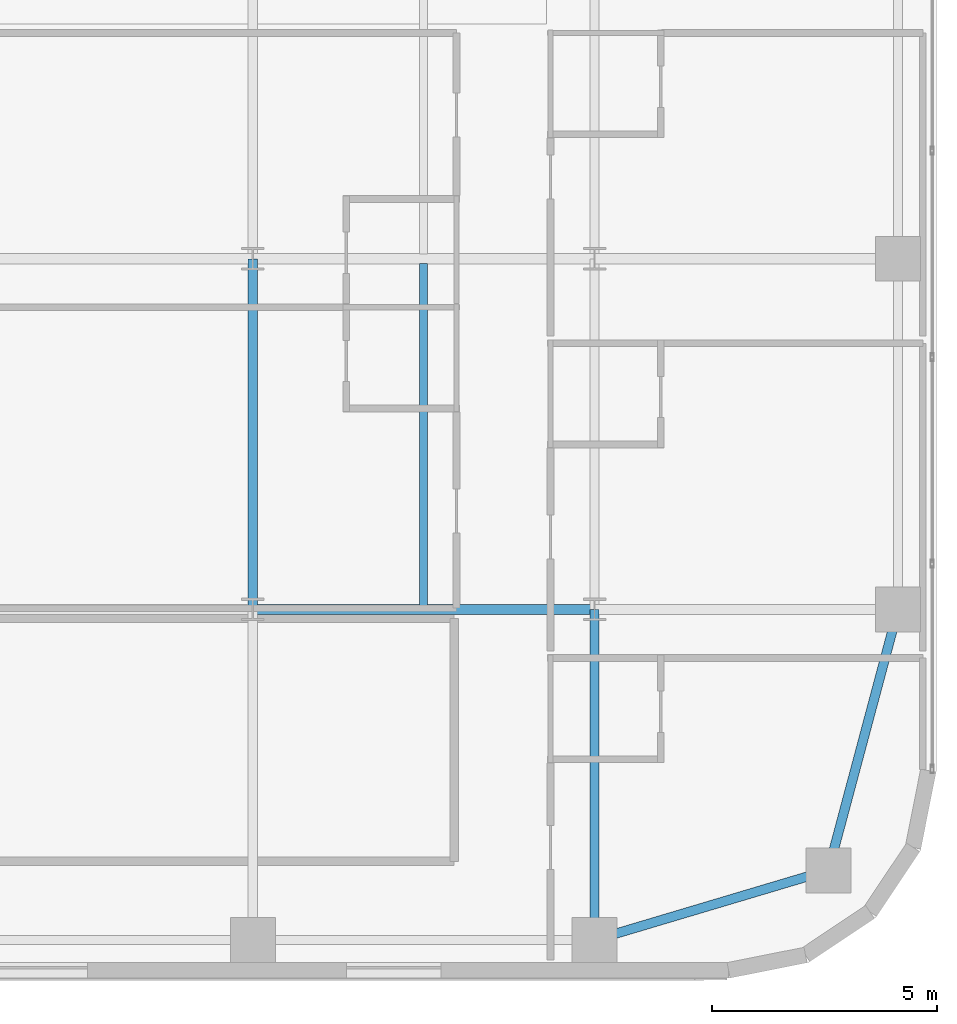
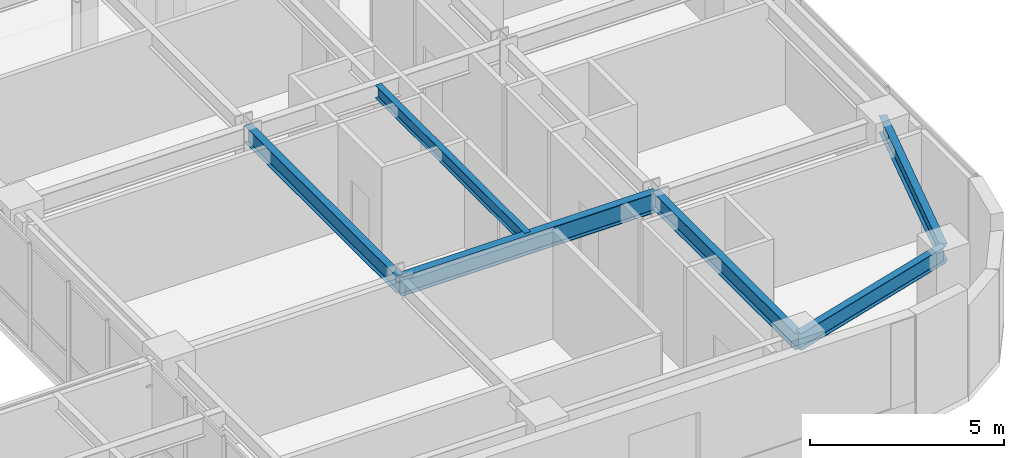
# One storey, part 11 of 31: 6 beams.
"""IFC4 building model written with IfcOpenShell, lengths in metres."""

from ifc_helpers import new_model, si_unit, direction, frame, origin, origin_2d, place, context, subcontext, project, spatial, i_section, extrude, source, transform, mapped, material, material_profile, profile_set, type_object, type_shapes, element, save


model = new_model("IFC4")

# Units and contexts
model_context = context("Model", 3, precision=1e-05, world=origin(), true_north=direction((0.0, 1.0)))
body_context = subcontext(model_context, "Body", "Model", "MODEL_VIEW")
ifc_project = project(units=[si_unit("LENGTHUNIT", "METRE"), si_unit("AREAUNIT", "SQUARE_METRE"), si_unit("VOLUMEUNIT", "CUBIC_METRE"), si_unit("PLANEANGLEUNIT", "RADIAN"), si_unit("MASSUNIT", "GRAM", prefix="KILO")], contexts=[model_context])

# Site, building, storey
site_placement = place(None, origin())
site = spatial("IfcSite", under=ifc_project, at=site_placement, CompositionType="ELEMENT")
building_placement = place(site_placement, origin())
building = spatial("IfcBuilding", under=site, at=building_placement, Name="Tolvann Quenvar Hotel", CompositionType="ELEMENT")
storey_placement = place(building_placement, frame((0.0, 0.0, 74.60009765625)))
storey = spatial("IfcBuildingStorey", under=building, at=storey_placement, Name="L18", CompositionType="ELEMENT", Elevation=74.60009765625)

# Beams
ifc_material = material(Name="Steel Grade 350", Category="steel")
ifc_material_profile_1 = material_profile(ifc_material, i_section(OverallWidth=0.208984375, OverallDepth=0.528076171875, WebThickness=0.009521484375, FlangeThickness=0.01318359375, FilletRadius=0.013916015625, at=origin_2d()), Name="530UB82")
ifc_profile_set_1 = profile_set([ifc_material_profile_1], Name="Steel Grade 350")
beam_type_1 = type_object("IfcBeamType", Name="BM_SPAND_530UB82", PredefinedType="SPANDREL", material=ifc_profile_set_1)
shared_shape_1 = source(origin(), body_context, "Body", "SweptSolid", [
    extrude(i_section(OverallWidth=0.208984375, OverallDepth=0.528076171875, WebThickness=0.009521484375, FlangeThickness=0.01318359375, FilletRadius=0.013916015625, at=origin_2d()), origin(), (0.0, 0.0, 1.0), 5.42626953125),
])
beam_1_placement = place(storey_placement, frame((49.39990234375, 0.85009765625, 3.10595703125), z_axis=(0.958344815522, 0.285613750654, 0.0), x_axis=(-0.285613750654, 0.958344815522, 0.0)))
element("IfcBeam", 1, at=beam_1_placement, inside=storey, type_object=beam_type_1, Name="BM-L18-EW-2-I2-J2", PredefinedType="SPANDREL", context=body_context, shape_type="MappedRepresentation", body=[
    mapped(shared_shape_1, transform((0.0, 0.0, 0.0), x_axis=(1.0, 0.0, 0.0), y_axis=(0.0, 1.0, 0.0), z_axis=(0.0, 0.0, 1.0), scale=1.0)),
])
ifc_material_profile_2 = material_profile(ifc_material, i_section(OverallWidth=0.22900390625, OverallDepth=0.612060546875, WebThickness=0.011962890625, FlangeThickness=0.01953125, FilletRadius=0.013916015625, at=origin_2d()), Name="610UB125")
ifc_profile_set_2 = profile_set([ifc_material_profile_2], Name="Steel Grade 350")
beam_type_2 = type_object("IfcBeamType", Name="BM_GIRD_610UB125", PredefinedType="BEAM", material=ifc_profile_set_2)
shared_shape_2 = source(origin(), body_context, "Body", "SweptSolid", [
    extrude(i_section(OverallWidth=0.22900390625, OverallDepth=0.612060546875, WebThickness=0.011962890625, FlangeThickness=0.01953125, FilletRadius=0.013916015625, at=origin_2d()), origin(), (0.0, 0.0, 1.0), 7.599853515625),
])
type_shapes(beam_type_2, [shared_shape_2])
beam_2_placement = place(storey_placement, frame((41.800048828125, 8.199951171875, 3.06396484375), z_axis=(1.0, 0.0, 0.0), x_axis=(0.0, 1.0, 0.0)))
element("IfcBeam", 2, at=beam_2_placement, inside=storey, type_object=beam_type_2, Name="BM-L18-EW-3-H3-I3", PredefinedType="BEAM", context=body_context, shape_type="MappedRepresentation", body=[
    mapped(shared_shape_2, transform((0.0, 0.0, 0.0), x_axis=(1.0, 0.0, 0.0), y_axis=(0.0, 1.0, 0.0), z_axis=(0.0, 0.0, 1.0), scale=1.0)),
])
shared_shape_3 = source(origin(), body_context, "Body", "SweptSolid", [
    extrude(i_section(OverallWidth=0.208984375, OverallDepth=0.528076171875, WebThickness=0.009521484375, FlangeThickness=0.01318359375, FilletRadius=0.013916015625, at=origin_2d()), origin(), (0.0, 0.0, 1.0), 6.00341796875),
])
type_shapes(beam_type_1, [shared_shape_1, shared_shape_3])
beam_3_placement = place(storey_placement, frame((54.60009765625, 2.39990234375, 3.10595703125), z_axis=(0.258148586649, 0.966105225745, 0.0), x_axis=(-0.966105225745, 0.258148586649, 0.0)))
element("IfcBeam", 3, at=beam_3_placement, inside=storey, type_object=beam_type_1, Name="BM-L18-NS-J2-J3", PredefinedType="SPANDREL", context=body_context, shape_type="MappedRepresentation", body=[
    mapped(shared_shape_3, transform((0.0, 0.0, 0.0), x_axis=(1.0, 0.0, 0.0), y_axis=(0.0, 1.0, 0.0), z_axis=(0.0, 0.0, 1.0), scale=1.0)),
])
ifc_material_profile_3 = material_profile(ifc_material, i_section(OverallWidth=0.208984375, OverallDepth=0.532958984375, WebThickness=0.01025390625, FlangeThickness=0.015625, FilletRadius=0.013916015625, at=origin_2d()), Name="530UB92")
ifc_profile_set_3 = profile_set([ifc_material_profile_3], Name="Steel Grade 350")
beam_type_3 = type_object("IfcBeamType", Name="BM_GIRD_530UB92", PredefinedType="BEAM", material=ifc_profile_set_3)
shared_shape_4 = source(origin(), body_context, "Body", "SweptSolid", [
    extrude(i_section(OverallWidth=0.208984375, OverallDepth=0.532958984375, WebThickness=0.01025390625, FlangeThickness=0.015625, FilletRadius=0.013916015625, at=origin_2d()), origin(), (0.0, 0.0, 1.0), 7.349853515625),
])
beam_4_placement = place(storey_placement, frame((49.39990234375, 0.85009765625, 3.103515625), z_axis=(0.0, 1.0, 0.0), x_axis=(-1.0, 0.0, 0.0)))
element("IfcBeam", 4, at=beam_4_placement, inside=storey, type_object=beam_type_3, Name="BM-L18-NS-I2-I3", PredefinedType="BEAM", context=body_context, shape_type="MappedRepresentation", body=[
    mapped(shared_shape_4, transform((0.0, 0.0, 0.0), x_axis=(1.0, 0.0, 0.0), y_axis=(0.0, 1.0, 0.0), z_axis=(0.0, 0.0, 1.0), scale=1.0)),
])
shared_shape_5 = source(origin(), body_context, "Body", "SweptSolid", [
    extrude(i_section(OverallWidth=0.208984375, OverallDepth=0.532958984375, WebThickness=0.01025390625, FlangeThickness=0.015625, FilletRadius=0.013916015625, at=origin_2d()), origin(), (0.0, 0.0, 1.0), 7.800048828125),
])
type_shapes(beam_type_3, [shared_shape_4, shared_shape_5])
beam_5_placement = place(storey_placement, frame((41.800048828125, 8.199951171875, 3.103515625), z_axis=(0.0, 1.0, 0.0), x_axis=(-1.0, 0.0, 0.0)))
element("IfcBeam", 5, at=beam_5_placement, inside=storey, type_object=beam_type_3, Name="BM-L18-NS-H3-H4", PredefinedType="BEAM", context=body_context, shape_type="MappedRepresentation", body=[
    mapped(shared_shape_5, transform((0.0, 0.0, 0.0), x_axis=(1.0, 0.0, 0.0), y_axis=(0.0, 1.0, 0.0), z_axis=(0.0, 0.0, 1.0), scale=1.0)),
])
ifc_material_profile_4 = material_profile(ifc_material, i_section(OverallWidth=0.177978515625, OverallDepth=0.406005859375, WebThickness=0.0078125, FlangeThickness=0.0126953125, FilletRadius=0.011474609375, at=origin_2d()), Name="410UB60")
ifc_profile_set_4 = profile_set([ifc_material_profile_4], Name="Steel Grade 350")
beam_type_4 = type_object("IfcBeamType", Name="BM_JOIST_410UB60", PredefinedType="JOIST", material=ifc_profile_set_4)
shared_shape_6 = source(origin(), body_context, "Body", "SweptSolid", [
    extrude(i_section(OverallWidth=0.177978515625, OverallDepth=0.406005859375, WebThickness=0.0078125, FlangeThickness=0.0126953125, FilletRadius=0.011474609375, at=origin_2d()), origin(), (0.0, 0.0, 1.0), 7.691650390625),
])
type_shapes(beam_type_4, [shared_shape_6])
beam_6_placement = place(storey_placement, frame((45.60009765625, 8.199951171875, 3.1669921875), z_axis=(0.0, 1.0, 0.0), x_axis=(-1.0, 0.0, 0.0)))
element("IfcBeam", 6, at=beam_6_placement, inside=storey, type_object=beam_type_4, Name="BJ-L18-456-82", PredefinedType="JOIST", context=body_context, shape_type="MappedRepresentation", body=[
    mapped(shared_shape_6, transform((0.0, 0.0, 0.0), x_axis=(1.0, 0.0, 0.0), y_axis=(0.0, 1.0, 0.0), z_axis=(0.0, 0.0, 1.0), scale=1.0)),
])

save(model, "model.ifc")
